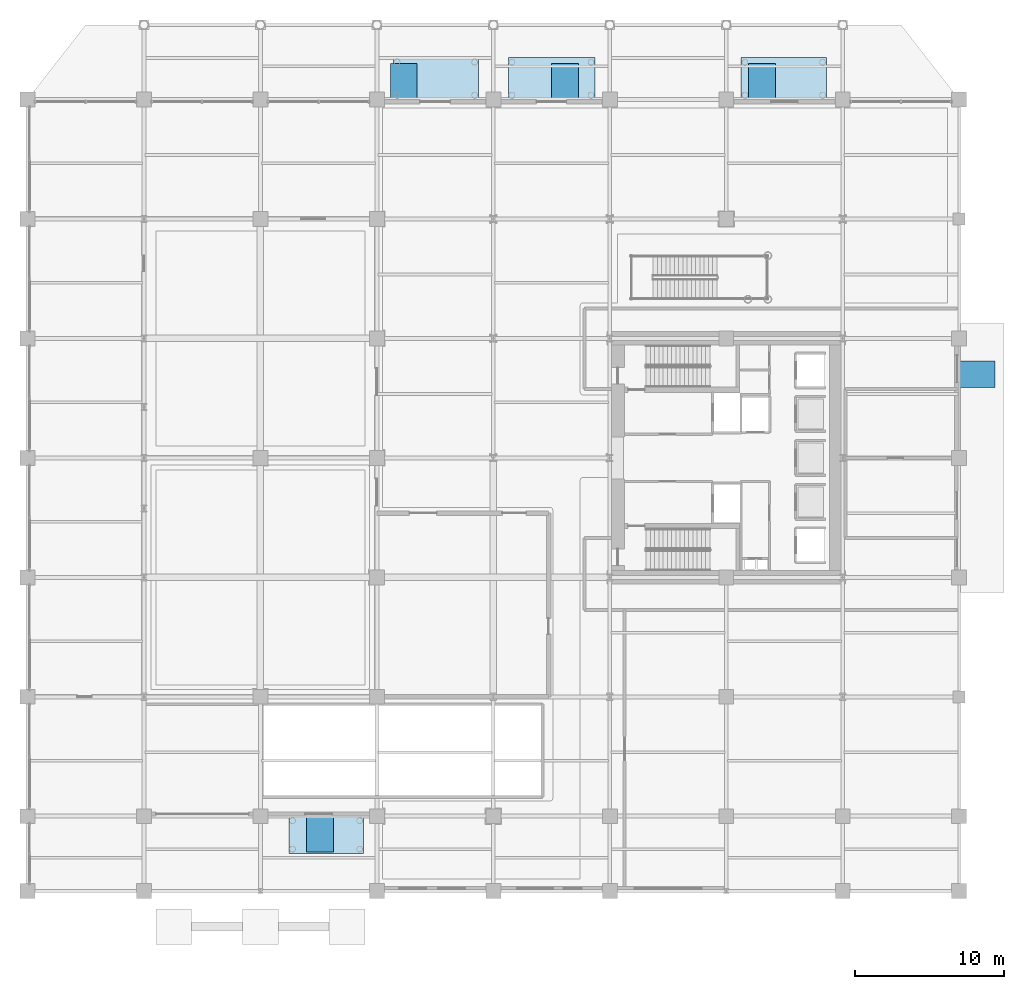
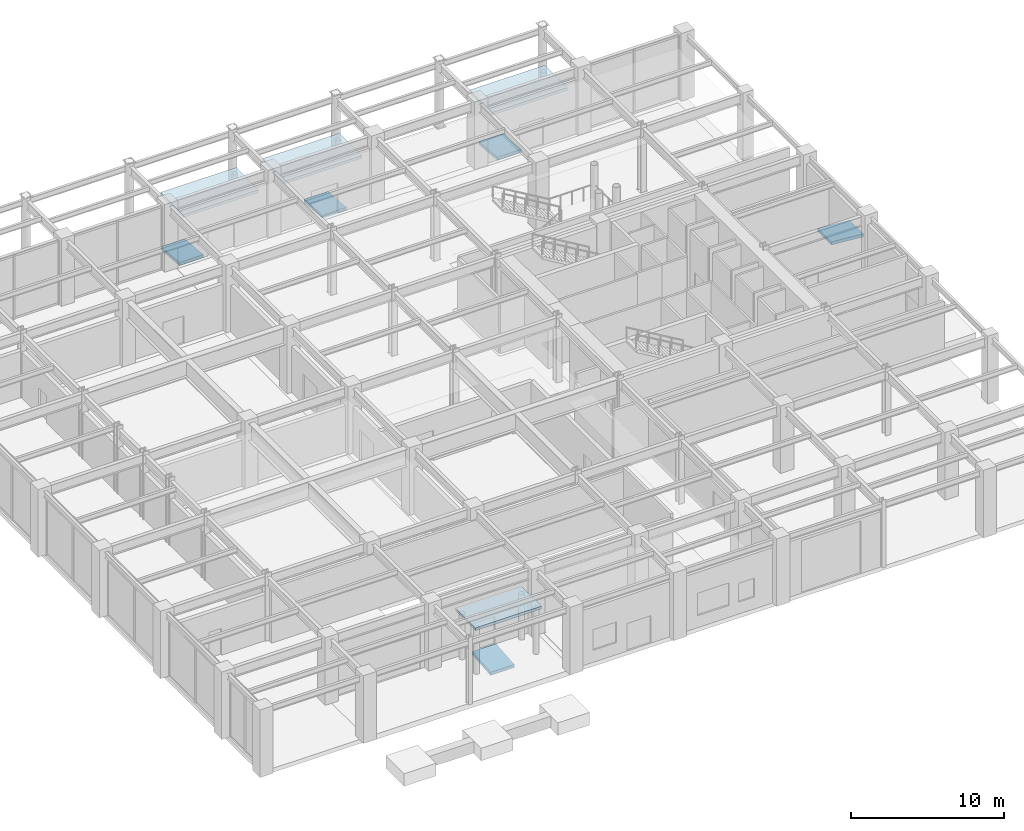
# One storey, part 22 of 27: 5 ramp flights, 4 roofs, 5 elements without a shape of their own.
"""IFC4 building model written with IfcOpenShell, lengths in metres."""

from ifc_helpers import new_model, si_unit, direction, frame, origin, place, context, subcontext, project, spatial, polyline, outline, extrude, material, layer, layer_set, type_object, element, aggregate, save


model = new_model("IFC4")

# Units and contexts
model_context = context("Model", 3, precision=1e-05, world=origin(), true_north=direction((0.0, 1.0)))
body_context = subcontext(model_context, "Body", "Model", "MODEL_VIEW")
ifc_project = project(units=[si_unit("LENGTHUNIT", "METRE"), si_unit("AREAUNIT", "SQUARE_METRE"), si_unit("VOLUMEUNIT", "CUBIC_METRE"), si_unit("PLANEANGLEUNIT", "RADIAN"), si_unit("MASSUNIT", "GRAM", prefix="KILO")], contexts=[model_context])

# Site, building, storey
site_placement = place(None, origin())
site = spatial("IfcSite", under=ifc_project, at=site_placement, CompositionType="ELEMENT")
building_placement = place(site_placement, origin())
building = spatial("IfcBuilding", under=site, at=building_placement, Name="Veymaron Broadcast Tower", CompositionType="ELEMENT")
storey_placement = place(building_placement, origin())
storey = spatial("IfcBuildingStorey", under=building, at=storey_placement, Name="L00", CompositionType="ELEMENT", Elevation=0.0)

# Ramp, ramp flight
ifc_material_1 = material(Name="Concrete C40/50", Category="concrete")
ramp_type = type_object("IfcRampType", Name="RAMP-ACC-1800", PredefinedType="STRAIGHT_RUN_RAMP", material=ifc_material_1)
ramp_1_placement = place(storey_placement, origin())
ramp_1 = element("IfcRamp", 1, at=ramp_1_placement, inside=storey, type_object=ramp_type, Name="Waterfront promenade accessible ramp A", PredefinedType="STRAIGHT_RUN_RAMP")
ifc_layer_1 = layer(ifc_material_1, 0.199951171875)
ifc_layer_set_1 = layer_set([ifc_layer_1], Name="Concrete C40/50")
ramp_flight_type = type_object("IfcRampFlightType", Name="RAMP-FLT-ACC", PredefinedType="STRAIGHT", material=ifc_layer_set_1)
ramp_flight_1_placement = place(storey_placement, frame((25.199951171875, 50.39990234375, -0.199951171875), z_axis=(0.0, 0.0, 1.0), x_axis=(0.0, -1.0, 0.0)))
ramp_flight_1 = element("IfcRampFlight", 2, at=ramp_flight_1_placement, type_object=ramp_flight_type, Name="Waterfront promenade accessible ramp A flight", PredefinedType="STRAIGHT", context=body_context, shape_type="SweptSolid", body=[
    extrude(outline(polyline([(0.0, 0.0), (2.419921875, 0.199951171875), (2.419921875, -0.050048828125), (0.0, -0.25), (0.0, 0.0)])), frame((0.0, 0.89990234375, 0.0), z_axis=(0.0, -1.0, 0.0), x_axis=(1.0, 0.0, 0.0)), (0.0, 0.0, 1.0), 1.800048828125),
])
aggregate(ramp_1, [ramp_flight_1])

ramp_2_placement = place(storey_placement, origin())
ramp_2 = element("IfcRamp", 3, at=ramp_2_placement, inside=storey, type_object=ramp_type, Name="Waterfront promenade accessible ramp B", PredefinedType="STRAIGHT_RUN_RAMP")
ramp_flight_2_placement = place(storey_placement, frame((36.0, 50.39990234375, -0.199951171875), z_axis=(0.0, 0.0, 1.0), x_axis=(0.0, -1.0, 0.0)))
ramp_flight_2 = element("IfcRampFlight", 4, at=ramp_flight_2_placement, type_object=ramp_flight_type, Name="Waterfront promenade accessible ramp B flight", PredefinedType="STRAIGHT", context=body_context, shape_type="SweptSolid", body=[
    extrude(outline(polyline([(0.0, 0.0), (2.419921875, 0.199951171875), (2.419921875, -0.050048828125), (0.0, -0.25), (0.0, 0.0)])), frame((0.0, 0.89990234375, 0.0), z_axis=(0.0, -1.0, 0.0), x_axis=(1.0, 0.0, 0.0)), (0.0, 0.0, 1.0), 1.800048828125),
])
aggregate(ramp_2, [ramp_flight_2])

ramp_3_placement = place(storey_placement, origin())
ramp_3 = element("IfcRamp", 5, at=ramp_3_placement, inside=storey, type_object=ramp_type, Name="Waterfront promenade accessible ramp C", PredefinedType="STRAIGHT_RUN_RAMP")
ramp_flight_3_placement = place(storey_placement, frame((49.199951171875, 50.39990234375, -0.199951171875), z_axis=(0.0, 0.0, 1.0), x_axis=(0.0, -1.0, 0.0)))
ramp_flight_3 = element("IfcRampFlight", 6, at=ramp_flight_3_placement, type_object=ramp_flight_type, Name="Waterfront promenade accessible ramp C flight", PredefinedType="STRAIGHT", context=body_context, shape_type="SweptSolid", body=[
    extrude(outline(polyline([(0.0, 0.0), (2.419921875, 0.199951171875), (2.419921875, -0.050048828125), (0.0, -0.25), (0.0, 0.0)])), frame((0.0, 0.89990234375, 0.0), z_axis=(0.0, -1.0, 0.0), x_axis=(1.0, 0.0, 0.0)), (0.0, 0.0, 1.0), 1.800048828125),
])
aggregate(ramp_3, [ramp_flight_3])

ramp_4_placement = place(storey_placement, origin())
ramp_4 = element("IfcRamp", 7, at=ramp_4_placement, inside=storey, type_object=ramp_type, Name="South OB-dock accessible entry ramp D", PredefinedType="STRAIGHT_RUN_RAMP")
ramp_flight_4_placement = place(storey_placement, frame((19.60009765625, -2.39990234375, -0.199951171875), z_axis=(0.0, 0.0, 1.0), x_axis=(0.0, 1.0, 0.0)))
ramp_flight_4 = element("IfcRampFlight", 8, at=ramp_flight_4_placement, type_object=ramp_flight_type, Name="South OB-dock accessible entry ramp D flight", PredefinedType="STRAIGHT", context=body_context, shape_type="SweptSolid", body=[
    extrude(outline(polyline([(0.0, 0.0), (2.419921875, 0.199951171875), (2.419921875, -0.050048828125), (0.0, -0.25), (0.0, 0.0)])), frame((0.0, 0.89990234375, 0.0), z_axis=(0.0, -1.0, 0.0), x_axis=(1.0, 0.0, 0.0)), (0.0, 0.0, 1.0), 1.800048828125),
])
aggregate(ramp_4, [ramp_flight_4])

ramp_5_placement = place(storey_placement, origin())
ramp_5 = element("IfcRamp", 9, at=ramp_5_placement, inside=storey, type_object=ramp_type, Name="East exit promenade accessible ramp E", PredefinedType="STRAIGHT_RUN_RAMP")
ramp_flight_5_placement = place(storey_placement, frame((64.800048828125, 29.60009765625, -0.199951171875), z_axis=(0.0, 0.0, 1.0), x_axis=(-1.0, 0.0, 0.0)))
ramp_flight_5 = element("IfcRampFlight", 10, at=ramp_flight_5_placement, type_object=ramp_flight_type, Name="East exit promenade accessible ramp E flight", PredefinedType="STRAIGHT", context=body_context, shape_type="SweptSolid", body=[
    extrude(outline(polyline([(0.0, 0.0), (2.420166015625, 0.199951171875), (2.420166015625, -0.050048828125), (0.0, -0.25), (0.0, 0.0)])), frame((0.0, 0.89990234375, 0.0), z_axis=(0.0, -1.0, 0.0), x_axis=(1.0, 0.0, 0.0)), (0.0, 0.0, 1.0), 1.800048828125),
])
aggregate(ramp_5, [ramp_flight_5])

# Roofs
ifc_material_2 = material(Name="Laminated fritted dark glass and stainless steel spider fittings", Category="steel")
ifc_layer_2 = layer(ifc_material_2, 0.219970703125)
ifc_layer_set_2 = layer_set([ifc_layer_2], Name="Laminated fritted dark glass and stainless steel spider fittings")
roof_type = type_object("IfcRoofType", Name="ROOF-CANOPY-01", PredefinedType="USERDEFINED", material=ifc_layer_set_2)
roof_1_placement = place(storey_placement, frame((0.0, 0.0, 3.60009765625)))
element("IfcRoof", 11, at=roof_1_placement, inside=storey, type_object=roof_type, Name="Waterfront entrance canopy A", ObjectType="CANOPY", PredefinedType="USERDEFINED", context=body_context, shape_type="SweptSolid", body=[
    extrude(outline(polyline([(24.5, 47.85009765625), (30.199951171875, 47.85009765625), (30.199951171875, 50.800048828125), (24.5, 50.800048828125), (24.5, 47.85009765625)])), origin(), (0.0, 0.0, 1.0), 0.219970703125),
])
roof_2_placement = place(storey_placement, frame((0.0, 0.0, 3.60009765625)))
element("IfcRoof", 12, at=roof_2_placement, inside=storey, type_object=roof_type, Name="Waterfront entrance canopy B", ObjectType="CANOPY", PredefinedType="USERDEFINED", context=body_context, shape_type="SweptSolid", body=[
    extrude(outline(polyline([(32.199951171875, 47.85009765625), (38.0, 47.85009765625), (38.0, 50.800048828125), (32.199951171875, 50.800048828125), (32.199951171875, 47.85009765625)])), origin(), (0.0, 0.0, 1.0), 0.219970703125),
])
roof_3_placement = place(storey_placement, frame((0.0, 0.0, 3.60009765625)))
element("IfcRoof", 13, at=roof_3_placement, inside=storey, type_object=roof_type, Name="East promenade exit canopy C", ObjectType="CANOPY", PredefinedType="USERDEFINED", context=body_context, shape_type="SweptSolid", body=[
    extrude(outline(polyline([(47.800048828125, 47.85009765625), (53.5, 47.85009765625), (53.5, 50.800048828125), (47.800048828125, 50.800048828125), (47.800048828125, 47.85009765625)])), origin(), (0.0, 0.0, 1.0), 0.219970703125),
])
roof_4_placement = place(storey_placement, frame((0.0, 0.0, 3.60009765625)))
element("IfcRoof", 14, at=roof_4_placement, inside=storey, type_object=roof_type, Name="South arrival entry canopy D", ObjectType="CANOPY", PredefinedType="USERDEFINED", context=body_context, shape_type="SweptSolid", body=[
    extrude(outline(polyline([(17.5, -2.5), (22.5, -2.5), (22.5, 0.14990234375), (17.5, 0.14990234375), (17.5, -2.5)])), origin(), (0.0, 0.0, 1.0), 0.219970703125),
])

save(model, "model.ifc")
